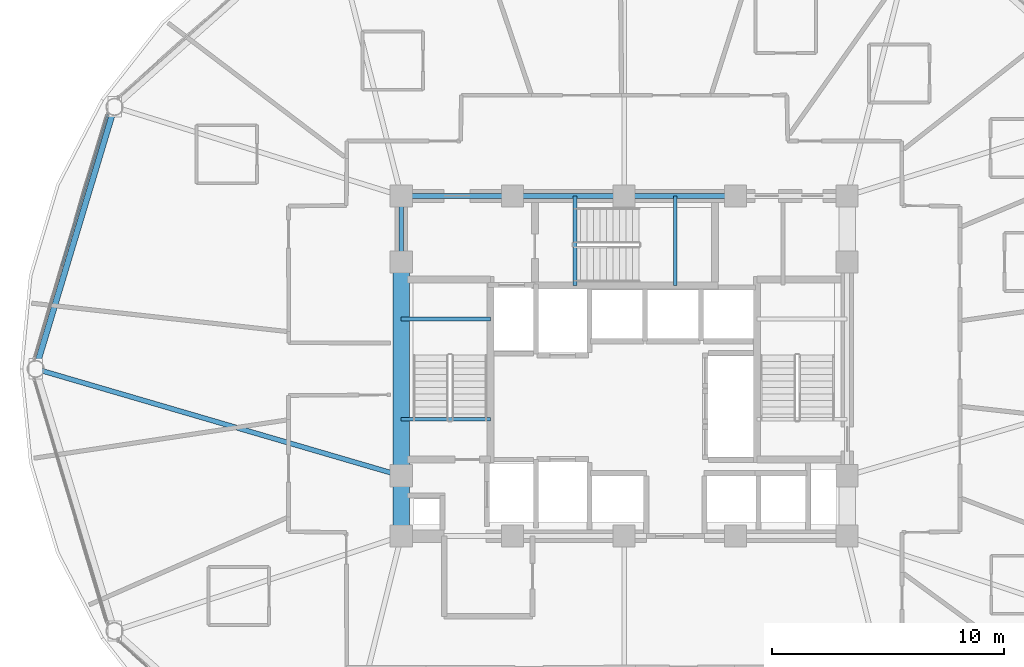
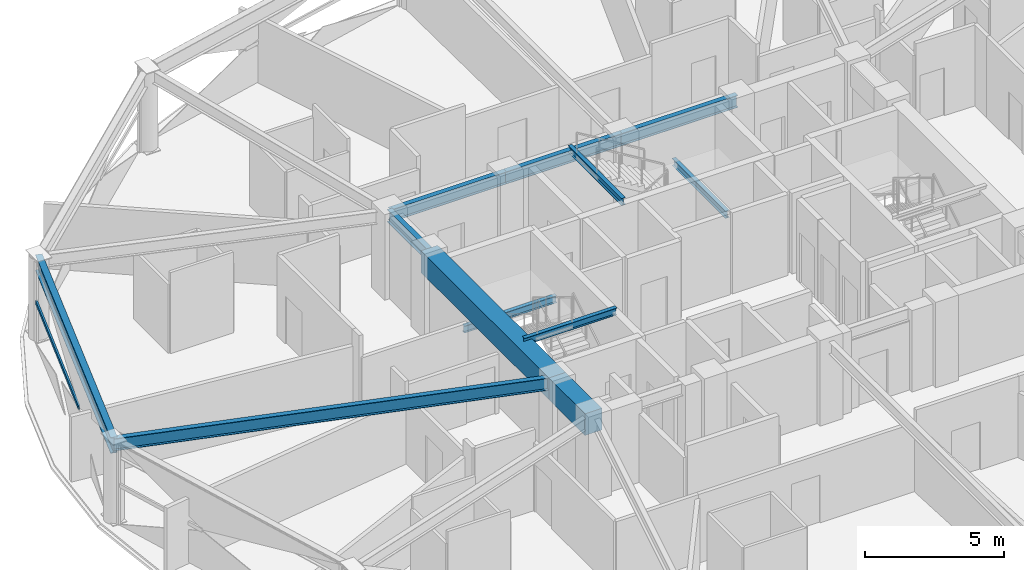
# One storey, part 8 of 31: 12 beams, 1 member, 1 element without a shape of its own.
"""IFC4 building model written with IfcOpenShell, lengths in metres."""

from ifc_helpers import new_model, si_unit, direction, frame, origin, origin_2d, place, context, subcontext, project, spatial, rectangle, hollow_rectangle, i_section, extrude, material, layer, layer_set, material_profile, profile_set, type_object, element, aggregate, save


model = new_model("IFC4")

# Units and contexts
model_context = context("Model", 3, precision=1e-05, world=origin(), true_north=direction((0.0, 1.0)))
body_context = subcontext(model_context, "Body", "Model", "MODEL_VIEW")
ifc_project = project(units=[si_unit("LENGTHUNIT", "METRE"), si_unit("AREAUNIT", "SQUARE_METRE"), si_unit("VOLUMEUNIT", "CUBIC_METRE"), si_unit("PLANEANGLEUNIT", "RADIAN"), si_unit("MASSUNIT", "GRAM", prefix="KILO")], contexts=[model_context])

# Site, building, storey
site_placement = place(None, origin())
site = spatial("IfcSite", under=ifc_project, at=site_placement, CompositionType="ELEMENT")
building_placement = place(site_placement, origin())
building = spatial("IfcBuilding", under=site, at=building_placement, Name="Vantalir Tower", CompositionType="ELEMENT")
storey_placement = place(building_placement, frame((0.0, 0.0, 123.449951171875)))
storey = spatial("IfcBuildingStorey", under=building, at=storey_placement, Name="L30", CompositionType="ELEMENT", Elevation=123.449951171875)

# Beams
ifc_material_1 = material(Name="Concrete C60/75", Category="concrete")
ifc_material_profile_1 = material_profile(ifc_material_1, rectangle(XDim=0.699951171875, YDim=0.949951171875, at=origin_2d()), Name="Concrete C60/75")
ifc_profile_set_1 = profile_set([ifc_material_profile_1], Name="Concrete C60/75")
beam_type_1 = type_object("IfcBeamType", Name="BM-CB-700x950", PredefinedType="USERDEFINED", material=ifc_profile_set_1)
beam_1_placement = place(storey_placement, frame((21.89990234375, 29.60009765625, 3.094970703125), z_axis=(0.0, -1.0, 0.0), x_axis=(1.0, 0.0, 0.0)))
element("IfcBeam", 1, at=beam_1_placement, inside=storey, type_object=beam_type_1, Name="L30 Core Coupling Girder 13", ObjectType="GIRDER", PredefinedType="USERDEFINED", context=body_context, shape_type="SweptSolid", body=[
    extrude(rectangle(XDim=0.699951171875, YDim=0.949951171875, at=origin_2d()), origin(), (0.0, 0.0, 1.0), 9.2001953125),
])
beam_2_placement = place(storey_placement, frame((21.89990234375, 20.39990234375, 3.094970703125), z_axis=(0.0, -1.0, 0.0), x_axis=(1.0, 0.0, 0.0)))
element("IfcBeam", 2, at=beam_2_placement, inside=storey, type_object=beam_type_1, Name="L30 Core Coupling Girder 14", ObjectType="GIRDER", PredefinedType="USERDEFINED", context=body_context, shape_type="SweptSolid", body=[
    extrude(rectangle(XDim=0.699951171875, YDim=0.949951171875, at=origin_2d()), origin(), (0.0, 0.0, 1.0), 2.599853515625),
])
ifc_material_2 = material(Name="Steel S355", Category="steel")
ifc_material_profile_2 = material_profile(ifc_material_2, i_section(OverallWidth=0.166015625, OverallDepth=0.306884765625, WebThickness=0.006591796875, FlangeThickness=0.01171875, at=origin_2d()), Name="Steel S355")
ifc_profile_set_2 = profile_set([ifc_material_profile_2], Name="Steel S355")
beam_type_2 = type_object("IfcBeamType", Name="BM-JS-305x165", PredefinedType="JOIST", material=ifc_profile_set_2)
for number, where, z_axis, x_axis, name in (
    (3, (21.89990234375, 22.8349609375, 3.59716796875), (1.0, 0.0, 0.0), (0.0, 1.0, 0.0), "L31 Stair ST1 Well Nosing Trimmer Beam"),
    (4, (21.89990234375, 27.14501953125, 1.52197265625), (1.0, 0.0, 0.0), (0.0, 1.0, 0.0), "L30 Stair ST1 Half-Landing Support Beam"),
):
    element("IfcBeam", number, at=place(storey_placement, frame(where, z_axis=z_axis, x_axis=x_axis)), inside=storey, type_object=beam_type_2, Name=name, PredefinedType="JOIST", context=body_context, shape_type="SweptSolid", body=[
        extrude(i_section(OverallWidth=0.166015625, OverallDepth=0.306884765625, WebThickness=0.006591796875, FlangeThickness=0.01171875, at=origin_2d()), origin(), (0.0, 0.0, 1.0), 3.840087890625),
    ])
for number, where, z_axis, x_axis, name in (
    (5, (29.385009765625, 28.60009765625, 3.59716796875), (0.0, 1.0, 0.0), (-1.0, 0.0, 0.0), "L31 Stair ST3 Well Nosing Trimmer Beam"),
    (6, (33.695068359375, 28.60009765625, 1.52197265625), (0.0, 1.0, 0.0), (-1.0, 0.0, 0.0), "L30 Stair ST3 Half-Landing Support Beam"),
):
    element("IfcBeam", number, at=place(storey_placement, frame(where, z_axis=z_axis, x_axis=x_axis)), inside=storey, type_object=beam_type_2, Name=name, PredefinedType="JOIST", context=body_context, shape_type="SweptSolid", body=[
        extrude(i_section(OverallWidth=0.166015625, OverallDepth=0.306884765625, WebThickness=0.006591796875, FlangeThickness=0.01171875, at=origin_2d()), origin(), (0.0, 0.0, 1.0), 3.849853515625),
    ])
ifc_material_profile_3 = material_profile(ifc_material_2, i_section(OverallWidth=0.2109375, OverallDepth=0.5390625, WebThickness=0.01171875, FlangeThickness=0.018798828125, at=origin_2d()), Name="Steel S355")
ifc_profile_set_3 = profile_set([ifc_material_profile_3], Name="Steel S355")
beam_type_3 = type_object("IfcBeamType", Name="BM-RB-533x210", PredefinedType="BEAM", material=ifc_profile_set_3)
for number, where, z_axis, x_axis, name in (
    (7, (36.300048828125, 32.449951171875, 3.300048828125), (-1.0, 0.0, 0.0), (0.0, -1.0, 0.0), "L30 Core Coupling Girder 09"),
    (8, (31.5, 32.449951171875, 3.300048828125), (-1.0, 0.0, 0.0), (0.0, -1.0, 0.0), "L30 Core Coupling Girder 10"),
    (9, (26.699951171875, 32.449951171875, 3.300048828125), (-1.0, 0.0, 0.0), (0.0, -1.0, 0.0), "L30 Core Coupling Girder 11"),
):
    element("IfcBeam", number, at=place(storey_placement, frame(where, z_axis=z_axis, x_axis=x_axis)), inside=storey, type_object=beam_type_3, Name=name, PredefinedType="BEAM", context=body_context, shape_type="SweptSolid", body=[
        extrude(i_section(OverallWidth=0.2109375, OverallDepth=0.5390625, WebThickness=0.01171875, FlangeThickness=0.018798828125, at=origin_2d()), origin(), (0.0, 0.0, 1.0), 4.800048828125),
    ])
beam_3_placement = place(storey_placement, frame((21.89990234375, 32.449951171875, 3.300048828125), z_axis=(0.0, -1.0, 0.0), x_axis=(1.0, 0.0, 0.0)))
element("IfcBeam", 10, at=beam_3_placement, inside=storey, type_object=beam_type_3, Name="L30 Core Coupling Girder 12", PredefinedType="BEAM", context=body_context, shape_type="SweptSolid", body=[
    extrude(i_section(OverallWidth=0.2109375, OverallDepth=0.5390625, WebThickness=0.01171875, FlangeThickness=0.018798828125, at=origin_2d()), origin(), (0.0, 0.0, 1.0), 2.849853515625),
])
beam_4_placement = place(storey_placement, frame((6.159912109375, 25.0, 3.300048828125), z_axis=(0.959847952894, -0.280520778775, 0.0), x_axis=(0.280520778775, 0.959847952894, 0.0)))
element("IfcBeam", 11, at=beam_4_placement, inside=storey, type_object=beam_type_3, Name="L30 Radial Floor Beam 07", PredefinedType="BEAM", context=body_context, shape_type="SweptSolid", body=[
    extrude(i_section(OverallWidth=0.2109375, OverallDepth=0.5390625, WebThickness=0.01171875, FlangeThickness=0.018798828125, at=origin_2d()), origin(), (0.0, 0.0, 1.0), 16.3984375),
])
ifc_material_3 = material(Name="Steel S460", Category="steel")
ifc_material_profile_4 = material_profile(ifc_material_3, i_section(OverallWidth=0.256103515625, OverallDepth=0.693115234375, WebThickness=0.014404296875, FlangeThickness=0.023681640625, at=origin_2d()), Name="Steel S460")
ifc_profile_set_4 = profile_set([ifc_material_profile_4], Name="Steel S460")
beam_type_4 = type_object("IfcBeamType", Name="BM-RG-686x254", PredefinedType="USERDEFINED", material=ifc_profile_set_4)
beam_5_placement = place(storey_placement, frame((9.554931640625, 36.282958984375, 3.22314453125), z_axis=(-0.288136680777, -0.957589292542, 0.0), x_axis=(0.957589292542, -0.288136680777, 0.0)))
element("IfcBeam", 12, at=beam_5_placement, inside=storey, type_object=beam_type_4, Name="L30 Circumferential Ring Girder 06", ObjectType="GIRDER", PredefinedType="USERDEFINED", context=body_context, shape_type="SweptSolid", body=[
    extrude(i_section(OverallWidth=0.256103515625, OverallDepth=0.693115234375, WebThickness=0.014404296875, FlangeThickness=0.023681640625, at=origin_2d()), origin(), (0.0, 0.0, 1.0), 11.78271484375),
])

# Curtain wall, member
ifc_material_4 = material(Name="Champagne-silver PVDF aluminium and double-silver Low-E glass", Category="aluminium")
ifc_layer = layer(ifc_material_4, 0.199951171875)
ifc_layer_set = layer_set([ifc_layer], Name="Champagne-silver PVDF aluminium and double-silver Low-E glass")
curtain_wall_type = type_object("IfcCurtainWallType", Name="CW-DIAMOND-Z2", PredefinedType="USERDEFINED", material=ifc_layer_set)
curtain_wall_placement = place(storey_placement, origin())
curtain_wall = element("IfcCurtainWall", 13, at=curtain_wall_placement, inside=storey, type_object=curtain_wall_type, Name="L30 Quilted Pyramid-Diamond Curtain Wall S06", ObjectType="UNITISED CURTAIN WALL", PredefinedType="USERDEFINED")
ifc_material_5 = material(Name="Champagne-silver PVDF aluminium 6063-T6", Category="aluminium")
ifc_material_profile_5 = material_profile(ifc_material_5, hollow_rectangle(XDim=0.074951171875, YDim=0.159912109375, WallThickness=0.00390625, at=origin_2d()), Name="Champagne-silver PVDF aluminium 6063-T6")
ifc_profile_set_5 = profile_set([ifc_material_profile_5], Name="Champagne-silver PVDF aluminium 6063-T6")
member_type = type_object("IfcMemberType", Name="CWT-160x75", PredefinedType="USERDEFINED", material=ifc_profile_set_5)
member_placement = place(storey_placement, frame((9.262939453125, 35.95703125, 1.78515625), z_axis=(-0.291195784047, -0.956663480725, 0.0), x_axis=(0.956663480725, -0.291195784047, 0.0)))
member = element("IfcMember", 14, at=member_placement, type_object=member_type, Name="CW-L30-S06 Pyramid Fold Ridge Transom", ObjectType="TRANSOM", PredefinedType="USERDEFINED", context=body_context, shape_type="SweptSolid", body=[
    extrude(hollow_rectangle(XDim=0.074951171875, YDim=0.159912109375, WallThickness=0.00390625, at=origin_2d()), origin(), (0.0, 0.0, 1.0), 6.82373046875),
])
aggregate(curtain_wall, [member])

save(model, "model.ifc")
